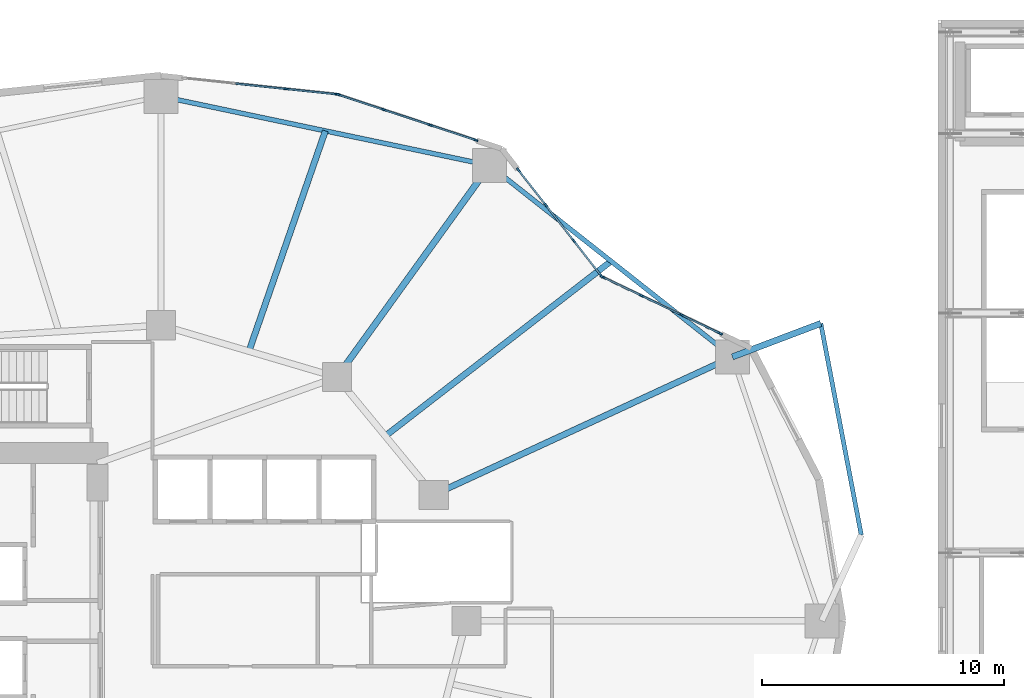
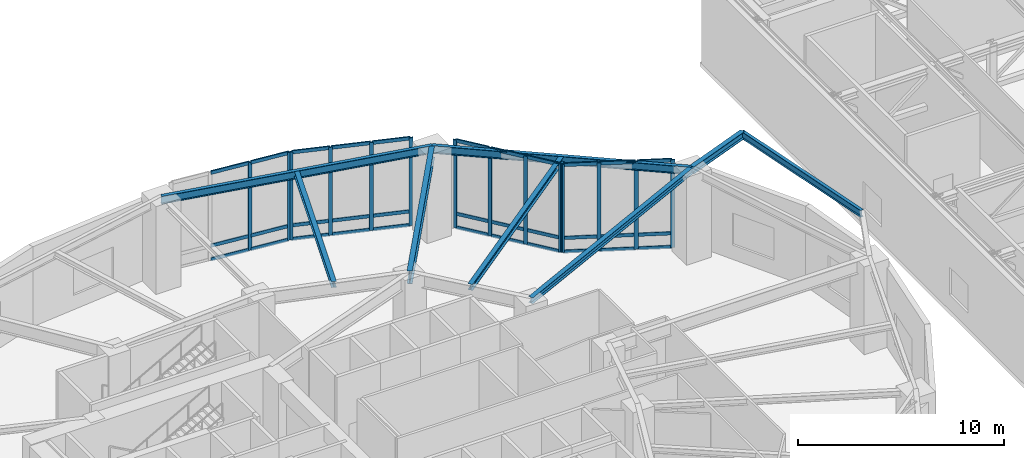
# One storey, part 10 of 29: 47 members, 8 beams, 4 elements without a shape of their own.
"""IFC4 building model written with IfcOpenShell, lengths in metres."""

from ifc_helpers import new_model, si_unit, direction, frame, origin, origin_2d, place, context, subcontext, project, spatial, rectangle, i_section, extrude, material, layer, layer_set, material_profile, profile_set, type_object, element, aggregate, save


model = new_model("IFC4")

# Units and contexts
model_context = context("Model", 3, precision=1e-05, world=origin(), true_north=direction((0.0, 1.0)))
body_context = subcontext(model_context, "Body", "Model", "MODEL_VIEW")
ifc_project = project(units=[si_unit("LENGTHUNIT", "METRE"), si_unit("AREAUNIT", "SQUARE_METRE"), si_unit("VOLUMEUNIT", "CUBIC_METRE"), si_unit("PLANEANGLEUNIT", "RADIAN"), si_unit("MASSUNIT", "GRAM", prefix="KILO")], contexts=[model_context])

# Site, building, storey
site_placement = place(None, origin())
site = spatial("IfcSite", under=ifc_project, at=site_placement, CompositionType="ELEMENT")
building_placement = place(site_placement, origin())
building = spatial("IfcBuilding", under=site, at=building_placement, Name="Kolvaren Gate Tower and Convention Centre", CompositionType="ELEMENT")
storey_placement = place(building_placement, frame((0.0, 0.0, 21.0)))
storey = spatial("IfcBuildingStorey", under=building, at=storey_placement, Name="L04", CompositionType="ELEMENT", Elevation=21.0)

# Curtain wall, members
ifc_material_1 = material(Name="Anodized Architectural Aluminium Alloy 6063-T6", Category="aluminium")
ifc_layer = layer(ifc_material_1, 0.179931640625)
ifc_layer_set = layer_set([ifc_layer], Name="Anodized Architectural Aluminium Alloy 6063-T6")
curtain_wall_type = type_object("IfcCurtainWallType", Name="CW-POD-GLZ", PredefinedType="NOTDEFINED", material=ifc_layer_set)
curtain_wall_1_placement = place(storey_placement, origin())
curtain_wall_1 = element("IfcCurtainWall", 1, at=curtain_wall_1_placement, inside=storey, type_object=curtain_wall_type, Name="Tower L04 Unitised Curtain Wall CW-POD-GLZ Bay 02", PredefinedType="NOTDEFINED")
ifc_material_profile_1 = material_profile(ifc_material_1, rectangle(XDim=0.074951171875, YDim=0.199951171875, at=origin_2d()), Name="CW-MEM-MUL-200")
ifc_profile_set_1 = profile_set([ifc_material_profile_1], Name="Anodized Architectural Aluminium Alloy 6063-T6")
member_type_1 = type_object("IfcMemberType", Name="CW-MEM-MUL-200", PredefinedType="MULLION", material=ifc_profile_set_1)
member_1_placement = place(storey_placement, frame((48.34912109375, 41.196533203125, 0.0), z_axis=(0.0, 0.0, 1.0), x_axis=(0.433062688542, 0.90136380435, 0.0)))
member_1 = element("IfcMember", 2, at=member_1_placement, type_object=member_type_1, Name="CW-01 mullion 1", PredefinedType="MULLION", context=body_context, shape_type="SweptSolid", body=[
    extrude(rectangle(XDim=0.074951171875, YDim=0.199951171875, at=origin_2d()), origin(), (0.0, 0.0, 1.0), 5.219970703125),
])
member_2_placement = place(storey_placement, frame((49.955810546875, 40.424560546875, 0.0), z_axis=(0.0, 0.0, 1.0), x_axis=(0.433062688542, 0.90136380435, 0.0)))
member_2 = element("IfcMember", 3, at=member_2_placement, type_object=member_type_1, Name="CW-01 mullion 2", PredefinedType="MULLION", context=body_context, shape_type="SweptSolid", body=[
    extrude(rectangle(XDim=0.074951171875, YDim=0.199951171875, at=origin_2d()), origin(), (0.0, 0.0, 1.0), 5.219970703125),
])
member_3_placement = place(storey_placement, frame((51.59619140625, 39.636474609375, 0.0), z_axis=(0.0, 0.0, 1.0), x_axis=(0.433062688542, 0.90136380435, 0.0)))
member_3 = element("IfcMember", 4, at=member_3_placement, type_object=member_type_1, Name="CW-01 mullion 3", PredefinedType="MULLION", context=body_context, shape_type="SweptSolid", body=[
    extrude(rectangle(XDim=0.074951171875, YDim=0.199951171875, at=origin_2d()), origin(), (0.0, 0.0, 1.0), 5.219970703125),
])
member_4_placement = place(storey_placement, frame((53.202880859375, 38.864501953125, 0.0), z_axis=(0.0, 0.0, 1.0), x_axis=(0.433062688542, 0.90136380435, 0.0)))
member_4 = element("IfcMember", 5, at=member_4_placement, type_object=member_type_1, Name="CW-01 mullion 4", PredefinedType="MULLION", context=body_context, shape_type="SweptSolid", body=[
    extrude(rectangle(XDim=0.074951171875, YDim=0.199951171875, at=origin_2d()), origin(), (0.0, 0.0, 1.0), 5.219970703125),
])

curtain_wall_2_placement = place(storey_placement, origin())
curtain_wall_2 = element("IfcCurtainWall", 6, at=curtain_wall_2_placement, inside=storey, type_object=curtain_wall_type, Name="Tower L04 Unitised Curtain Wall CW-POD-GLZ Bay 03", PredefinedType="NOTDEFINED")
member_5_placement = place(storey_placement, frame((44.8740234375, 45.60888671875, 0.0), z_axis=(0.0, 0.0, 1.0), x_axis=(0.787413004527, 0.616425794643, 0.0)))
member_5 = element("IfcMember", 7, at=member_5_placement, type_object=member_type_1, Name="CW-01 mullion 1", PredefinedType="MULLION", context=body_context, shape_type="SweptSolid", body=[
    extrude(rectangle(XDim=0.074951171875, YDim=0.199951171875, at=origin_2d()), origin(), (0.0, 0.0, 1.0), 5.219970703125),
])
member_6_placement = place(storey_placement, frame((46.005615234375, 44.1630859375, 0.0), z_axis=(0.0, 0.0, 1.0), x_axis=(0.787413004527, 0.616425794643, 0.0)))
member_6 = element("IfcMember", 8, at=member_6_placement, type_object=member_type_1, Name="CW-01 mullion 2", PredefinedType="MULLION", context=body_context, shape_type="SweptSolid", body=[
    extrude(rectangle(XDim=0.074951171875, YDim=0.199951171875, at=origin_2d()), origin(), (0.0, 0.0, 1.0), 5.219970703125),
])
member_7_placement = place(storey_placement, frame((47.160400390625, 42.68798828125, 0.0), z_axis=(0.0, 0.0, 1.0), x_axis=(0.787413004527, 0.616425794643, 0.0)))
member_7 = element("IfcMember", 9, at=member_7_placement, type_object=member_type_1, Name="CW-01 mullion 3", PredefinedType="MULLION", context=body_context, shape_type="SweptSolid", body=[
    extrude(rectangle(XDim=0.074951171875, YDim=0.199951171875, at=origin_2d()), origin(), (0.0, 0.0, 1.0), 5.219970703125),
])
member_8_placement = place(storey_placement, frame((48.292236328125, 41.242431640625, 0.0), z_axis=(0.0, 0.0, 1.0), x_axis=(0.787413004527, 0.616425794643, 0.0)))
member_8 = element("IfcMember", 10, at=member_8_placement, type_object=member_type_1, Name="CW-01 mullion 4", PredefinedType="MULLION", context=body_context, shape_type="SweptSolid", body=[
    extrude(rectangle(XDim=0.074951171875, YDim=0.199951171875, at=origin_2d()), origin(), (0.0, 0.0, 1.0), 5.219970703125),
])

curtain_wall_3_placement = place(storey_placement, origin())
curtain_wall_3 = element("IfcCurtainWall", 11, at=curtain_wall_3_placement, inside=storey, type_object=curtain_wall_type, Name="Tower L04 Unitised Curtain Wall CW-POD-GLZ Bay 04", PredefinedType="NOTDEFINED")
member_9_placement = place(storey_placement, frame((37.43994140625, 48.721435546875, 0.0), z_axis=(0.0, 0.0, 1.0), x_axis=(0.314541602786, 0.949243688479, 0.0)))
member_9 = element("IfcMember", 12, at=member_9_placement, type_object=member_type_1, Name="CW-01 mullion 1", PredefinedType="MULLION", context=body_context, shape_type="SweptSolid", body=[
    extrude(rectangle(XDim=0.074951171875, YDim=0.199951171875, at=origin_2d()), origin(), (0.0, 0.0, 1.0), 5.219970703125),
])
member_10_placement = place(storey_placement, frame((39.31884765625, 48.098876953125, 0.0), z_axis=(0.0, 0.0, 1.0), x_axis=(0.314541602786, 0.949243688479, 0.0)))
member_10 = element("IfcMember", 13, at=member_10_placement, type_object=member_type_1, Name="CW-01 mullion 2", PredefinedType="MULLION", context=body_context, shape_type="SweptSolid", body=[
    extrude(rectangle(XDim=0.074951171875, YDim=0.199951171875, at=origin_2d()), origin(), (0.0, 0.0, 1.0), 5.219970703125),
])
member_11_placement = place(storey_placement, frame((41.233642578125, 47.46435546875, 0.0), z_axis=(0.0, 0.0, 1.0), x_axis=(0.314541602786, 0.949243688479, 0.0)))
member_11 = element("IfcMember", 14, at=member_11_placement, type_object=member_type_1, Name="CW-01 mullion 3", PredefinedType="MULLION", context=body_context, shape_type="SweptSolid", body=[
    extrude(rectangle(XDim=0.074951171875, YDim=0.199951171875, at=origin_2d()), origin(), (0.0, 0.0, 1.0), 5.219970703125),
])
member_12_placement = place(storey_placement, frame((43.112548828125, 46.841796875, 0.0), z_axis=(0.0, 0.0, 1.0), x_axis=(0.314541602786, 0.949243688479, 0.0)))
member_12 = element("IfcMember", 15, at=member_12_placement, type_object=member_type_1, Name="CW-01 mullion 4", PredefinedType="MULLION", context=body_context, shape_type="SweptSolid", body=[
    extrude(rectangle(XDim=0.074951171875, YDim=0.199951171875, at=origin_2d()), origin(), (0.0, 0.0, 1.0), 5.219970703125),
])

curtain_wall_4_placement = place(storey_placement, origin())
curtain_wall_4 = element("IfcCurtainWall", 16, at=curtain_wall_4_placement, inside=storey, type_object=curtain_wall_type, Name="Tower L04 Unitised Curtain Wall CW-POD-GLZ Bay 05", PredefinedType="NOTDEFINED")
member_13_placement = place(storey_placement, frame((35.285888671875, 48.95654296875, 0.0), z_axis=(0.0, 0.0, 1.0), x_axis=(0.104748319841, 0.994498762941, 0.0)))
member_13 = element("IfcMember", 17, at=member_13_placement, type_object=member_type_1, Name="CW-01 mullion 3", PredefinedType="MULLION", context=body_context, shape_type="SweptSolid", body=[
    extrude(rectangle(XDim=0.074951171875, YDim=0.199951171875, at=origin_2d()), origin(), (0.0, 0.0, 1.0), 5.219970703125),
])
member_14_placement = place(storey_placement, frame((37.366943359375, 48.7373046875, 0.0), z_axis=(0.0, 0.0, 1.0), x_axis=(0.104748319841, 0.994498762941, 0.0)))
member_14 = element("IfcMember", 18, at=member_14_placement, type_object=member_type_1, Name="CW-01 mullion 4", PredefinedType="MULLION", context=body_context, shape_type="SweptSolid", body=[
    extrude(rectangle(XDim=0.074951171875, YDim=0.199951171875, at=origin_2d()), origin(), (0.0, 0.0, 1.0), 5.219970703125),
])

# Member
ifc_material_profile_2 = material_profile(ifc_material_1, rectangle(XDim=0.074951171875, YDim=0.199951171875, at=origin_2d()), Name="CW-MEM-TRN-200")
ifc_profile_set_2 = profile_set([ifc_material_profile_2], Name="Anodized Architectural Aluminium Alloy 6063-T6")
member_type_2 = type_object("IfcMemberType", Name="CW-MEM-TRN-200", PredefinedType="USERDEFINED", material=ifc_profile_set_2)
member_15_placement = place(storey_placement, frame((48.3828125, 41.180419921875, 0.03759765625), z_axis=(0.9013511863, -0.433088950397, 0.0), x_axis=(0.433088950397, 0.9013511863, 0.0)))
member_15 = element("IfcMember", 19, at=member_15_placement, type_object=member_type_2, Name="CW-01 transom 1.1", ObjectType="TRANSOM", PredefinedType="USERDEFINED", context=body_context, shape_type="SweptSolid", body=[
    extrude(rectangle(XDim=0.074951171875, YDim=0.199951171875, at=origin_2d()), origin(), (0.0, 0.0, 1.0), 1.70751953125),
])

member_16_placement = place(storey_placement, frame((48.3828125, 41.180419921875, 0.85009765625), z_axis=(0.9013511863, -0.433088950397, 0.0), x_axis=(0.433088950397, 0.9013511863, 0.0)))
member_16 = element("IfcMember", 20, at=member_16_placement, type_object=member_type_2, Name="CW-01 transom 1.2", ObjectType="TRANSOM", PredefinedType="USERDEFINED", context=body_context, shape_type="SweptSolid", body=[
    extrude(rectangle(XDim=0.074951171875, YDim=0.199951171875, at=origin_2d()), origin(), (0.0, 0.0, 1.0), 1.70751953125),
])

member_17_placement = place(storey_placement, frame((48.3828125, 41.180419921875, 5.1826171875), z_axis=(0.9013511863, -0.433088950397, 0.0), x_axis=(0.433088950397, 0.9013511863, 0.0)))
member_17 = element("IfcMember", 21, at=member_17_placement, type_object=member_type_2, Name="CW-01 transom 1.3", ObjectType="TRANSOM", PredefinedType="USERDEFINED", context=body_context, shape_type="SweptSolid", body=[
    extrude(rectangle(XDim=0.074951171875, YDim=0.199951171875, at=origin_2d()), origin(), (0.0, 0.0, 1.0), 1.70751953125),
])

member_18_placement = place(storey_placement, frame((49.989501953125, 40.408447265625, 0.03759765625), z_axis=(0.901339603895, -0.433113055046, 0.0), x_axis=(0.433113055046, 0.901339603895, 0.0)))
member_18 = element("IfcMember", 22, at=member_18_placement, type_object=member_type_2, Name="CW-01 transom 2.1", ObjectType="TRANSOM", PredefinedType="USERDEFINED", context=body_context, shape_type="SweptSolid", body=[
    extrude(rectangle(XDim=0.074951171875, YDim=0.199951171875, at=origin_2d()), origin(), (0.0, 0.0, 1.0), 1.7451171875),
])

member_19_placement = place(storey_placement, frame((49.989501953125, 40.408447265625, 0.85009765625), z_axis=(0.901339603895, -0.433113055046, 0.0), x_axis=(0.433113055046, 0.901339603895, 0.0)))
member_19 = element("IfcMember", 23, at=member_19_placement, type_object=member_type_2, Name="CW-01 transom 2.2", ObjectType="TRANSOM", PredefinedType="USERDEFINED", context=body_context, shape_type="SweptSolid", body=[
    extrude(rectangle(XDim=0.074951171875, YDim=0.199951171875, at=origin_2d()), origin(), (0.0, 0.0, 1.0), 1.7451171875),
])

member_20_placement = place(storey_placement, frame((49.989501953125, 40.408447265625, 5.1826171875), z_axis=(0.901339603895, -0.433113055046, 0.0), x_axis=(0.433113055046, 0.901339603895, 0.0)))
member_20 = element("IfcMember", 24, at=member_20_placement, type_object=member_type_2, Name="CW-01 transom 2.3", ObjectType="TRANSOM", PredefinedType="USERDEFINED", context=body_context, shape_type="SweptSolid", body=[
    extrude(rectangle(XDim=0.074951171875, YDim=0.199951171875, at=origin_2d()), origin(), (0.0, 0.0, 1.0), 1.7451171875),
])

member_21_placement = place(storey_placement, frame((51.630126953125, 39.6201171875, 0.03759765625), z_axis=(0.901406997018, -0.432972777121, 0.0), x_axis=(0.432972777121, 0.901406997018, 0.0)))
member_21 = element("IfcMember", 25, at=member_21_placement, type_object=member_type_2, Name="CW-01 transom 3.1", ObjectType="TRANSOM", PredefinedType="USERDEFINED", context=body_context, shape_type="SweptSolid", body=[
    extrude(rectangle(XDim=0.074951171875, YDim=0.199951171875, at=origin_2d()), origin(), (0.0, 0.0, 1.0), 1.70751953125),
])

member_22_placement = place(storey_placement, frame((51.630126953125, 39.6201171875, 0.85009765625), z_axis=(0.901406997018, -0.432972777121, 0.0), x_axis=(0.432972777121, 0.901406997018, 0.0)))
member_22 = element("IfcMember", 26, at=member_22_placement, type_object=member_type_2, Name="CW-01 transom 3.2", ObjectType="TRANSOM", PredefinedType="USERDEFINED", context=body_context, shape_type="SweptSolid", body=[
    extrude(rectangle(XDim=0.074951171875, YDim=0.199951171875, at=origin_2d()), origin(), (0.0, 0.0, 1.0), 1.70751953125),
])

member_23_placement = place(storey_placement, frame((51.630126953125, 39.6201171875, 5.1826171875), z_axis=(0.901406997018, -0.432972777121, 0.0), x_axis=(0.432972777121, 0.901406997018, 0.0)))
member_23 = element("IfcMember", 27, at=member_23_placement, type_object=member_type_2, Name="CW-01 transom 3.3", ObjectType="TRANSOM", PredefinedType="USERDEFINED", context=body_context, shape_type="SweptSolid", body=[
    extrude(rectangle(XDim=0.074951171875, YDim=0.199951171875, at=origin_2d()), origin(), (0.0, 0.0, 1.0), 1.70751953125),
])

aggregate(curtain_wall_1, [member_1, member_2, member_3, member_4, member_15, member_16, member_17, member_18, member_19, member_20, member_21, member_22, member_23])

member_24_placement = place(storey_placement, frame((44.89697265625, 45.579345703125, 0.03759765625), z_axis=(0.616375545802, -0.787452339216, 0.0), x_axis=(0.787452339216, 0.616375545802, 0.0)))
member_24 = element("IfcMember", 28, at=member_24_placement, type_object=member_type_2, Name="CW-01 transom 1.1", ObjectType="TRANSOM", PredefinedType="USERDEFINED", context=body_context, shape_type="SweptSolid", body=[
    extrude(rectangle(XDim=0.074951171875, YDim=0.199951171875, at=origin_2d()), origin(), (0.0, 0.0, 1.0), 1.760986328125),
])

member_25_placement = place(storey_placement, frame((44.89697265625, 45.579345703125, 0.85009765625), z_axis=(0.616375545802, -0.787452339216, 0.0), x_axis=(0.787452339216, 0.616375545802, 0.0)))
member_25 = element("IfcMember", 29, at=member_25_placement, type_object=member_type_2, Name="CW-01 transom 1.2", ObjectType="TRANSOM", PredefinedType="USERDEFINED", context=body_context, shape_type="SweptSolid", body=[
    extrude(rectangle(XDim=0.074951171875, YDim=0.199951171875, at=origin_2d()), origin(), (0.0, 0.0, 1.0), 1.760986328125),
])

member_26_placement = place(storey_placement, frame((44.89697265625, 45.579345703125, 5.1826171875), z_axis=(0.616375545802, -0.787452339216, 0.0), x_axis=(0.787452339216, 0.616375545802, 0.0)))
member_26 = element("IfcMember", 30, at=member_26_placement, type_object=member_type_2, Name="CW-01 transom 1.3", ObjectType="TRANSOM", PredefinedType="USERDEFINED", context=body_context, shape_type="SweptSolid", body=[
    extrude(rectangle(XDim=0.074951171875, YDim=0.199951171875, at=origin_2d()), origin(), (0.0, 0.0, 1.0), 1.760986328125),
])

member_27_placement = place(storey_placement, frame((46.02880859375, 44.133544921875, 0.03759765625), z_axis=(0.616465649316, -0.787381802694, 0.0), x_axis=(0.787381802694, 0.616465649316, 0.0)))
member_27 = element("IfcMember", 31, at=member_27_placement, type_object=member_type_2, Name="CW-01 transom 2.1", ObjectType="TRANSOM", PredefinedType="USERDEFINED", context=body_context, shape_type="SweptSolid", body=[
    extrude(rectangle(XDim=0.074951171875, YDim=0.199951171875, at=origin_2d()), origin(), (0.0, 0.0, 1.0), 1.79833984375),
])

member_28_placement = place(storey_placement, frame((46.02880859375, 44.133544921875, 0.85009765625), z_axis=(0.616465649316, -0.787381802694, 0.0), x_axis=(0.787381802694, 0.616465649316, 0.0)))
member_28 = element("IfcMember", 32, at=member_28_placement, type_object=member_type_2, Name="CW-01 transom 2.2", ObjectType="TRANSOM", PredefinedType="USERDEFINED", context=body_context, shape_type="SweptSolid", body=[
    extrude(rectangle(XDim=0.074951171875, YDim=0.199951171875, at=origin_2d()), origin(), (0.0, 0.0, 1.0), 1.79833984375),
])

member_29_placement = place(storey_placement, frame((46.02880859375, 44.133544921875, 5.1826171875), z_axis=(0.616465649316, -0.787381802694, 0.0), x_axis=(0.787381802694, 0.616465649316, 0.0)))
member_29 = element("IfcMember", 33, at=member_29_placement, type_object=member_type_2, Name="CW-01 transom 2.3", ObjectType="TRANSOM", PredefinedType="USERDEFINED", context=body_context, shape_type="SweptSolid", body=[
    extrude(rectangle(XDim=0.074951171875, YDim=0.199951171875, at=origin_2d()), origin(), (0.0, 0.0, 1.0), 1.79833984375),
])

member_30_placement = place(storey_placement, frame((47.18359375, 42.658447265625, 0.03759765625), z_axis=(0.616442840137, -0.787399660175, 0.0), x_axis=(0.787399660175, 0.616442840137, 0.0)))
member_30 = element("IfcMember", 34, at=member_30_placement, type_object=member_type_2, Name="CW-01 transom 3.1", ObjectType="TRANSOM", PredefinedType="USERDEFINED", context=body_context, shape_type="SweptSolid", body=[
    extrude(rectangle(XDim=0.074951171875, YDim=0.199951171875, at=origin_2d()), origin(), (0.0, 0.0, 1.0), 1.7607421875),
])

member_31_placement = place(storey_placement, frame((47.18359375, 42.658447265625, 0.85009765625), z_axis=(0.616442840137, -0.787399660175, 0.0), x_axis=(0.787399660175, 0.616442840137, 0.0)))
member_31 = element("IfcMember", 35, at=member_31_placement, type_object=member_type_2, Name="CW-01 transom 3.2", ObjectType="TRANSOM", PredefinedType="USERDEFINED", context=body_context, shape_type="SweptSolid", body=[
    extrude(rectangle(XDim=0.074951171875, YDim=0.199951171875, at=origin_2d()), origin(), (0.0, 0.0, 1.0), 1.7607421875),
])

member_32_placement = place(storey_placement, frame((47.18359375, 42.658447265625, 5.1826171875), z_axis=(0.616442840137, -0.787399660175, 0.0), x_axis=(0.787399660175, 0.616442840137, 0.0)))
member_32 = element("IfcMember", 36, at=member_32_placement, type_object=member_type_2, Name="CW-01 transom 3.3", ObjectType="TRANSOM", PredefinedType="USERDEFINED", context=body_context, shape_type="SweptSolid", body=[
    extrude(rectangle(XDim=0.074951171875, YDim=0.199951171875, at=origin_2d()), origin(), (0.0, 0.0, 1.0), 1.7607421875),
])

aggregate(curtain_wall_2, [member_5, member_6, member_7, member_8, member_24, member_25, member_26, member_27, member_28, member_29, member_30, member_31, member_32])

member_33_placement = place(storey_placement, frame((37.4755859375, 48.709716796875, 0.03759765625), z_axis=(0.949233065789, -0.314573658804, 0.0), x_axis=(0.314573658804, 0.949233065789, 0.0)))
member_33 = element("IfcMember", 37, at=member_33_placement, type_object=member_type_2, Name="CW-01 transom 1.1", ObjectType="TRANSOM", PredefinedType="USERDEFINED", context=body_context, shape_type="SweptSolid", body=[
    extrude(rectangle(XDim=0.074951171875, YDim=0.199951171875, at=origin_2d()), origin(), (0.0, 0.0, 1.0), 1.904541015625),
])

member_34_placement = place(storey_placement, frame((37.4755859375, 48.709716796875, 0.85009765625), z_axis=(0.949233065789, -0.314573658804, 0.0), x_axis=(0.314573658804, 0.949233065789, 0.0)))
member_34 = element("IfcMember", 38, at=member_34_placement, type_object=member_type_2, Name="CW-01 transom 1.2", ObjectType="TRANSOM", PredefinedType="USERDEFINED", context=body_context, shape_type="SweptSolid", body=[
    extrude(rectangle(XDim=0.074951171875, YDim=0.199951171875, at=origin_2d()), origin(), (0.0, 0.0, 1.0), 1.904541015625),
])

member_35_placement = place(storey_placement, frame((37.4755859375, 48.709716796875, 5.1826171875), z_axis=(0.949233065789, -0.314573658804, 0.0), x_axis=(0.314573658804, 0.949233065789, 0.0)))
member_35 = element("IfcMember", 39, at=member_35_placement, type_object=member_type_2, Name="CW-01 transom 1.3", ObjectType="TRANSOM", PredefinedType="USERDEFINED", context=body_context, shape_type="SweptSolid", body=[
    extrude(rectangle(XDim=0.074951171875, YDim=0.199951171875, at=origin_2d()), origin(), (0.0, 0.0, 1.0), 1.904541015625),
])

member_36_placement = place(storey_placement, frame((39.3544921875, 48.087158203125, 0.03759765625), z_axis=(0.949247481786, -0.314530154871, 0.0), x_axis=(0.314530154871, 0.949247481786, 0.0)))
member_36 = element("IfcMember", 40, at=member_36_placement, type_object=member_type_2, Name="CW-01 transom 2.1", ObjectType="TRANSOM", PredefinedType="USERDEFINED", context=body_context, shape_type="SweptSolid", body=[
    extrude(rectangle(XDim=0.074951171875, YDim=0.199951171875, at=origin_2d()), origin(), (0.0, 0.0, 1.0), 1.942138671875),
])

member_37_placement = place(storey_placement, frame((39.3544921875, 48.087158203125, 0.85009765625), z_axis=(0.949247481786, -0.314530154871, 0.0), x_axis=(0.314530154871, 0.949247481786, 0.0)))
member_37 = element("IfcMember", 41, at=member_37_placement, type_object=member_type_2, Name="CW-01 transom 2.2", ObjectType="TRANSOM", PredefinedType="USERDEFINED", context=body_context, shape_type="SweptSolid", body=[
    extrude(rectangle(XDim=0.074951171875, YDim=0.199951171875, at=origin_2d()), origin(), (0.0, 0.0, 1.0), 1.942138671875),
])

member_38_placement = place(storey_placement, frame((39.3544921875, 48.087158203125, 5.1826171875), z_axis=(0.949247481786, -0.314530154871, 0.0), x_axis=(0.314530154871, 0.949247481786, 0.0)))
member_38 = element("IfcMember", 42, at=member_38_placement, type_object=member_type_2, Name="CW-01 transom 2.3", ObjectType="TRANSOM", PredefinedType="USERDEFINED", context=body_context, shape_type="SweptSolid", body=[
    extrude(rectangle(XDim=0.074951171875, YDim=0.199951171875, at=origin_2d()), origin(), (0.0, 0.0, 1.0), 1.942138671875),
])

member_39_placement = place(storey_placement, frame((41.26904296875, 47.45263671875, 0.03759765625), z_axis=(0.949233065789, -0.314573658804, 0.0), x_axis=(0.314573658804, 0.949233065789, 0.0)))
member_39 = element("IfcMember", 43, at=member_39_placement, type_object=member_type_2, Name="CW-01 transom 3.1", ObjectType="TRANSOM", PredefinedType="USERDEFINED", context=body_context, shape_type="SweptSolid", body=[
    extrude(rectangle(XDim=0.074951171875, YDim=0.199951171875, at=origin_2d()), origin(), (0.0, 0.0, 1.0), 1.904541015625),
])

member_40_placement = place(storey_placement, frame((41.26904296875, 47.45263671875, 0.85009765625), z_axis=(0.949233065789, -0.314573658804, 0.0), x_axis=(0.314573658804, 0.949233065789, 0.0)))
member_40 = element("IfcMember", 44, at=member_40_placement, type_object=member_type_2, Name="CW-01 transom 3.2", ObjectType="TRANSOM", PredefinedType="USERDEFINED", context=body_context, shape_type="SweptSolid", body=[
    extrude(rectangle(XDim=0.074951171875, YDim=0.199951171875, at=origin_2d()), origin(), (0.0, 0.0, 1.0), 1.904541015625),
])

member_41_placement = place(storey_placement, frame((41.26904296875, 47.45263671875, 5.1826171875), z_axis=(0.949233065789, -0.314573658804, 0.0), x_axis=(0.314573658804, 0.949233065789, 0.0)))
member_41 = element("IfcMember", 45, at=member_41_placement, type_object=member_type_2, Name="CW-01 transom 3.3", ObjectType="TRANSOM", PredefinedType="USERDEFINED", context=body_context, shape_type="SweptSolid", body=[
    extrude(rectangle(XDim=0.074951171875, YDim=0.199951171875, at=origin_2d()), origin(), (0.0, 0.0, 1.0), 1.904541015625),
])

aggregate(curtain_wall_3, [member_9, member_10, member_11, member_12, member_33, member_34, member_35, member_36, member_37, member_38, member_39, member_40, member_41])

member_42_placement = place(storey_placement, frame((33.20458984375, 49.175537109375, 0.03759765625), z_axis=(0.994508706958, -0.104653866559, 0.0), x_axis=(0.104653866559, 0.994508706958, 0.0)))
member_42 = element("IfcMember", 46, at=member_42_placement, type_object=member_type_2, Name="CW-01 transom 2.1", ObjectType="TRANSOM", PredefinedType="USERDEFINED", context=body_context, shape_type="SweptSolid", body=[
    extrude(rectangle(XDim=0.074951171875, YDim=0.199951171875, at=origin_2d()), origin(), (0.0, 0.0, 1.0), 2.05517578125),
])

member_43_placement = place(storey_placement, frame((33.20458984375, 49.175537109375, 0.85009765625), z_axis=(0.994508706958, -0.104653866559, 0.0), x_axis=(0.104653866559, 0.994508706958, 0.0)))
member_43 = element("IfcMember", 47, at=member_43_placement, type_object=member_type_2, Name="CW-01 transom 2.2", ObjectType="TRANSOM", PredefinedType="USERDEFINED", context=body_context, shape_type="SweptSolid", body=[
    extrude(rectangle(XDim=0.074951171875, YDim=0.199951171875, at=origin_2d()), origin(), (0.0, 0.0, 1.0), 2.05517578125),
])

member_44_placement = place(storey_placement, frame((33.20458984375, 49.175537109375, 5.1826171875), z_axis=(0.994508706958, -0.104653866559, 0.0), x_axis=(0.104653866559, 0.994508706958, 0.0)))
member_44 = element("IfcMember", 48, at=member_44_placement, type_object=member_type_2, Name="CW-01 transom 2.3", ObjectType="TRANSOM", PredefinedType="USERDEFINED", context=body_context, shape_type="SweptSolid", body=[
    extrude(rectangle(XDim=0.074951171875, YDim=0.199951171875, at=origin_2d()), origin(), (0.0, 0.0, 1.0), 2.05517578125),
])

member_45_placement = place(storey_placement, frame((35.3232421875, 48.952392578125, 0.03759765625), z_axis=(0.9945074418, -0.104665888448, 0.0), x_axis=(0.104665888448, 0.9945074418, 0.0)))
member_45 = element("IfcMember", 49, at=member_45_placement, type_object=member_type_2, Name="CW-01 transom 3.1", ObjectType="TRANSOM", PredefinedType="USERDEFINED", context=body_context, shape_type="SweptSolid", body=[
    extrude(rectangle(XDim=0.074951171875, YDim=0.199951171875, at=origin_2d()), origin(), (0.0, 0.0, 1.0), 2.017578125),
])

member_46_placement = place(storey_placement, frame((35.3232421875, 48.952392578125, 0.85009765625), z_axis=(0.9945074418, -0.104665888448, 0.0), x_axis=(0.104665888448, 0.9945074418, 0.0)))
member_46 = element("IfcMember", 50, at=member_46_placement, type_object=member_type_2, Name="CW-01 transom 3.2", ObjectType="TRANSOM", PredefinedType="USERDEFINED", context=body_context, shape_type="SweptSolid", body=[
    extrude(rectangle(XDim=0.074951171875, YDim=0.199951171875, at=origin_2d()), origin(), (0.0, 0.0, 1.0), 2.017578125),
])

member_47_placement = place(storey_placement, frame((35.3232421875, 48.952392578125, 5.1826171875), z_axis=(0.9945074418, -0.104665888448, 0.0), x_axis=(0.104665888448, 0.9945074418, 0.0)))
member_47 = element("IfcMember", 51, at=member_47_placement, type_object=member_type_2, Name="CW-01 transom 3.3", ObjectType="TRANSOM", PredefinedType="USERDEFINED", context=body_context, shape_type="SweptSolid", body=[
    extrude(rectangle(XDim=0.074951171875, YDim=0.199951171875, at=origin_2d()), origin(), (0.0, 0.0, 1.0), 2.017578125),
])

aggregate(curtain_wall_4, [member_13, member_14, member_42, member_43, member_44, member_45, member_46, member_47])

# Beams
ifc_material_2 = material(Name="Structural steel ASTM A992 Grade 345 MPa", Category="steel")
ifc_material_profile_3 = material_profile(ifc_material_2, i_section(OverallWidth=0.260009765625, OverallDepth=0.419921875, WebThickness=0.013427734375, FlangeThickness=0.0224609375, at=origin_2d()), Name="W410X132")
ifc_profile_set_3 = profile_set([ifc_material_profile_3], Name="Structural steel ASTM A992 Grade 345 MPa")
beam_type_1 = type_object("IfcBeamType", Name="STR-BM-W410X132", PredefinedType="BEAM", material=ifc_profile_set_3)
beam_1_placement = place(storey_placement, frame((53.710205078125, 37.8935546875, 5.010498046875), z_axis=(0.935293537157, 0.35387285761, 0.0), x_axis=(-0.35387285761, 0.935293537157, 0.0)))
element("IfcBeam", 52, at=beam_1_placement, inside=storey, type_object=beam_type_1, Name="Tower L05 Planted Balcony Outrigger Cantilever BC-1B", PredefinedType="BEAM", context=body_context, shape_type="SweptSolid", body=[
    extrude(i_section(OverallWidth=0.260009765625, OverallDepth=0.419921875, WebThickness=0.013427734375, FlangeThickness=0.0224609375, at=origin_2d()), origin(), (0.0, 0.0, 1.0), 3.900146484375),
])
ifc_material_profile_4 = material_profile(ifc_material_2, i_section(OverallWidth=0.26806640625, OverallDepth=0.758056640625, WebThickness=0.016357421875, FlangeThickness=0.025390625, at=origin_2d()), Name="W760X220")
ifc_profile_set_4 = profile_set([ifc_material_profile_4], Name="Structural steel ASTM A992 Grade 345 MPa")
beam_type_2 = type_object("IfcBeamType", Name="STR-BM-W760X220", PredefinedType="BEAM", material=ifc_profile_set_4)
beam_2_placement = place(storey_placement, frame((37.381591796875, 37.054931640625, 4.841064453125), z_axis=(0.585205244783, 0.81088520857, 0.0), x_axis=(-0.81088520857, 0.585205244783, 0.0)))
element("IfcBeam", 53, at=beam_2_placement, inside=storey, type_object=beam_type_2, Name="Tower L04 Radial Floor Girder RB-03", PredefinedType="BEAM", context=body_context, shape_type="SweptSolid", body=[
    extrude(i_section(OverallWidth=0.26806640625, OverallDepth=0.758056640625, WebThickness=0.016357421875, FlangeThickness=0.025390625, at=origin_2d()), origin(), (0.0, 0.0, 1.0), 10.780029296875),
])
ifc_material_profile_5 = material_profile(ifc_material_2, i_section(OverallWidth=0.2548828125, OverallDepth=0.35693359375, WebThickness=0.010498046875, FlangeThickness=0.018310546875, at=origin_2d()), Name="W360X101")
ifc_profile_set_5 = profile_set([ifc_material_profile_5], Name="Structural steel ASTM A992 Grade 345 MPa")
beam_type_3 = type_object("IfcBeamType", Name="STR-JS-W360X101", PredefinedType="JOIST", material=ifc_profile_set_5)
beam_3_placement = place(storey_placement, frame((41.382080078125, 32.199462890625, 5.04150390625), z_axis=(0.907842006347, 0.419312403241, 0.0), x_axis=(-0.419312403241, 0.907842006347, 0.0)))
element("IfcBeam", 54, at=beam_3_placement, inside=storey, type_object=beam_type_3, Name="Tower L04 Radial Floor Girder RB-02", PredefinedType="JOIST", context=body_context, shape_type="SweptSolid", body=[
    extrude(i_section(OverallWidth=0.2548828125, OverallDepth=0.35693359375, WebThickness=0.010498046875, FlangeThickness=0.018310546875, at=origin_2d()), origin(), (0.0, 0.0, 1.0), 13.57958984375),
])
beam_4_placement = place(storey_placement, frame((39.3818359375, 34.627197265625, 5.04150390625), z_axis=(0.790577493994, 0.612362005671, 0.0), x_axis=(-0.612362005671, 0.790577493994, 0.0)))
element("IfcBeam", 55, at=beam_4_placement, inside=storey, type_object=beam_type_3, Name="Tower L04 Secondary Composite Floor Joist J-02.1", PredefinedType="JOIST", context=body_context, shape_type="SweptSolid", body=[
    extrude(i_section(OverallWidth=0.2548828125, OverallDepth=0.35693359375, WebThickness=0.010498046875, FlangeThickness=0.018310546875, at=origin_2d()), origin(), (0.0, 0.0, 1.0), 11.786865234375),
])
beam_5_placement = place(storey_placement, frame((33.75341796875, 38.12744140625, 5.04150390625), z_axis=(0.327647050942, 0.944800195813, 0.0), x_axis=(-0.944800195813, 0.327647050942, 0.0)))
element("IfcBeam", 56, at=beam_5_placement, inside=storey, type_object=beam_type_3, Name="Tower L04 Secondary Composite Floor Joist J-03.1", PredefinedType="JOIST", context=body_context, shape_type="SweptSolid", body=[
    extrude(i_section(OverallWidth=0.2548828125, OverallDepth=0.35693359375, WebThickness=0.010498046875, FlangeThickness=0.018310546875, at=origin_2d()), origin(), (0.0, 0.0, 1.0), 9.627197265625),
])
ifc_material_profile_6 = material_profile(ifc_material_2, i_section(OverallWidth=0.180908203125, OverallDepth=0.4169921875, WebThickness=0.010986328125, FlangeThickness=0.018310546875, at=origin_2d()), Name="W410X85")
ifc_profile_set_6 = profile_set([ifc_material_profile_6], Name="Structural steel ASTM A992 Grade 345 MPa")
beam_type_4 = type_object("IfcBeamType", Name="STR-SP-W410X85", PredefinedType="SPANDREL", material=ifc_profile_set_6)
beam_6_placement = place(storey_placement, frame((59.029296875, 30.543212890625, 5.011962890625), z_axis=(-0.188028301932, 0.98216361044, 0.0), x_axis=(-0.98216361044, -0.188028301932, 0.0)))
element("IfcBeam", 57, at=beam_6_placement, inside=storey, type_object=beam_type_4, Name="Tower L05 Planted Balcony Header Tie Beam BT-1", PredefinedType="SPANDREL", context=body_context, shape_type="SweptSolid", body=[
    extrude(i_section(OverallWidth=0.180908203125, OverallDepth=0.4169921875, WebThickness=0.010986328125, FlangeThickness=0.018310546875, at=origin_2d()), origin(), (0.0, 0.0, 1.0), 8.888916015625),
])
ifc_material_profile_7 = material_profile(ifc_material_2, i_section(OverallWidth=0.194091796875, OverallDepth=0.468994140625, WebThickness=0.0126953125, FlangeThickness=0.0205078125, at=origin_2d()), Name="W460X106")
ifc_profile_set_7 = profile_set([ifc_material_profile_7], Name="Structural steel ASTM A992 Grade 345 MPa")
beam_type_5 = type_object("IfcBeamType", Name="STR-SP-W460X106", PredefinedType="SPANDREL", material=ifc_profile_set_7)
beam_7_placement = place(storey_placement, frame((53.710205078125, 37.8935546875, 4.985595703125), z_axis=(-0.785176498861, 0.619272044933, 0.0), x_axis=(-0.619272044933, -0.785176498861, 0.0)))
element("IfcBeam", 58, at=beam_7_placement, inside=storey, type_object=beam_type_5, Name="Tower L04 Perimeter Spandrel Beam SP-02", PredefinedType="SPANDREL", context=body_context, shape_type="SweptSolid", body=[
    extrude(i_section(OverallWidth=0.194091796875, OverallDepth=0.468994140625, WebThickness=0.0126953125, FlangeThickness=0.0205078125, at=origin_2d()), origin(), (0.0, 0.0, 1.0), 12.761474609375),
])
beam_8_placement = place(storey_placement, frame((43.690185546875, 45.79638671875, 4.985595703125), z_axis=(-0.978583407863, 0.205850707685, 0.0), x_axis=(-0.205850707685, -0.978583407863, 0.0)))
element("IfcBeam", 59, at=beam_8_placement, inside=storey, type_object=beam_type_5, Name="Tower L04 Perimeter Spandrel Beam SP-03", PredefinedType="SPANDREL", context=body_context, shape_type="SweptSolid", body=[
    extrude(i_section(OverallWidth=0.194091796875, OverallDepth=0.468994140625, WebThickness=0.0126953125, FlangeThickness=0.0205078125, at=origin_2d()), origin(), (0.0, 0.0, 1.0), 13.862060546875),
])

save(model, "model.ifc")
